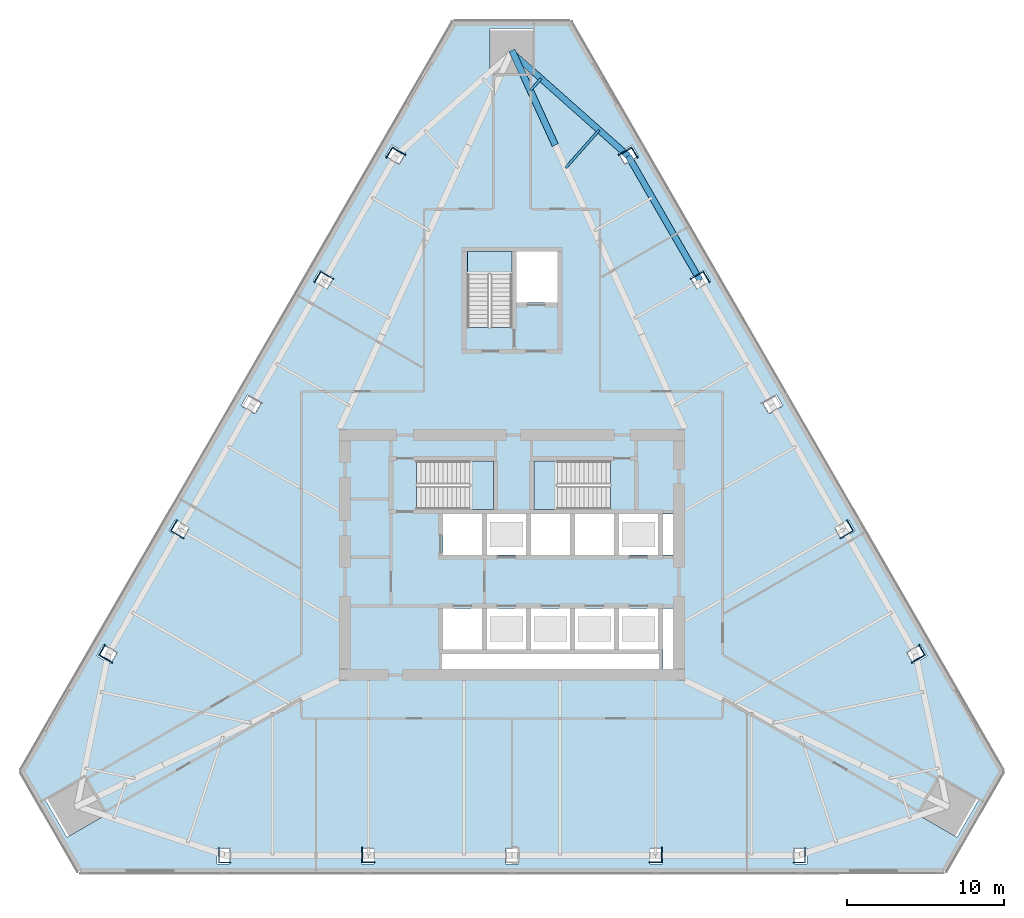
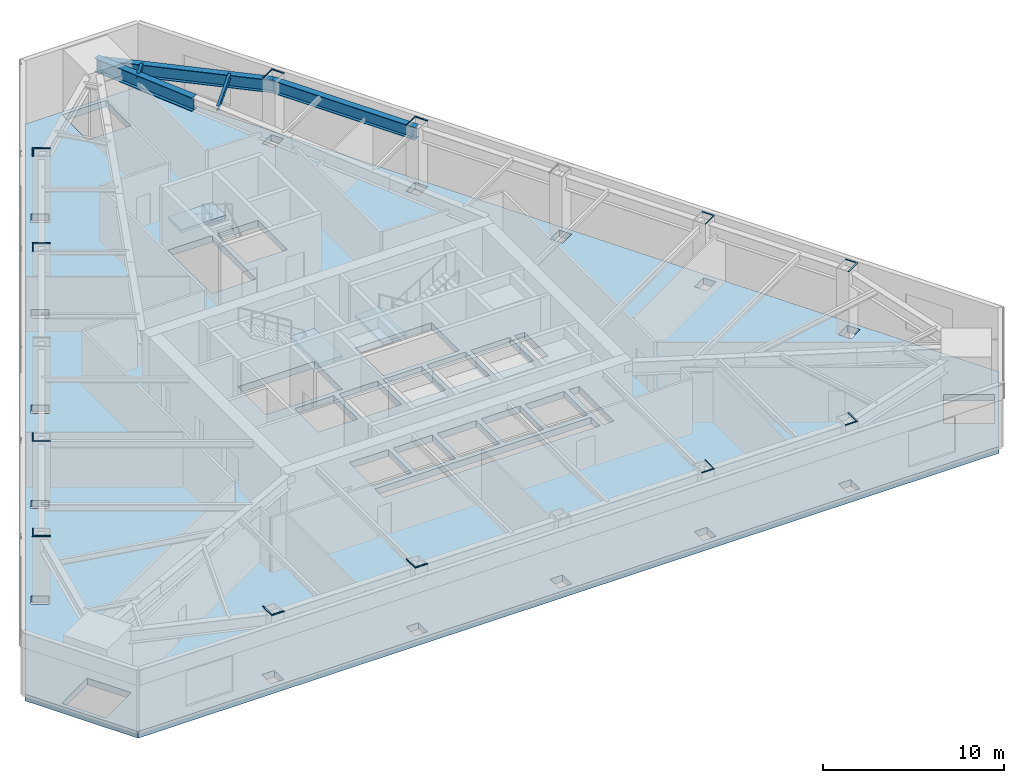
# One storey, part 2 of 14: 12 plates, 4 slabs, 3 members, 2 beams, 3 elements without a shape of their own.
"""IFC4 building model written with IfcOpenShell, lengths in metres."""

from ifc_helpers import new_model, si_unit, direction, frame, origin, origin_2d, place, context, subcontext, project, spatial, polyline, i_section, outline, extrude, material, layer, layer_set, material_profile, profile_set, type_object, element, aggregate, save


model = new_model("IFC4")

# Units and contexts
model_context = context("Model", 3, precision=1e-05, world=origin(), true_north=direction((0.0, 1.0)))
body_context = subcontext(model_context, "Body", "Model", "MODEL_VIEW")
ifc_project = project(units=[si_unit("LENGTHUNIT", "METRE"), si_unit("AREAUNIT", "SQUARE_METRE"), si_unit("VOLUMEUNIT", "CUBIC_METRE"), si_unit("PLANEANGLEUNIT", "RADIAN"), si_unit("MASSUNIT", "GRAM", prefix="KILO")], contexts=[model_context])

# Site, building, storey
site_placement = place(None, origin())
site = spatial("IfcSite", under=ifc_project, at=site_placement, CompositionType="ELEMENT")
building_placement = place(site_placement, origin())
building = spatial("IfcBuilding", under=site, at=building_placement, Name="Firuza Gate Tower and Library", CompositionType="ELEMENT")
storey_placement = place(building_placement, frame((0.0, 0.0, 151.300048828125)))
storey = spatial("IfcBuildingStorey", under=building, at=storey_placement, Name="L34", CompositionType="ELEMENT", Elevation=151.300048828125)

# Beams
ifc_material_1 = material(Name="Steel S355", Category="steel")
ifc_material_profile_1 = material_profile(ifc_material_1, i_section(OverallWidth=0.1650390625, OverallDepth=0.31005859375, WebThickness=0.005859375, FlangeThickness=0.009765625, at=origin_2d()))
ifc_profile_set_1 = profile_set([ifc_material_profile_1], Name="Steel S355")
beam_type = type_object("IfcBeamType", Name="W310x39 Floor beam", PredefinedType="JOIST", material=ifc_profile_set_1)
beam_1_placement = place(storey_placement, frame((80.54345703125, 102.02099609375, 4.14501953125), z_axis=(-0.664170319262, -0.74758129124, 0.0), x_axis=(0.74758129124, -0.664170319262, 0.0)))
element("IfcBeam", 1, at=beam_1_placement, inside=storey, type_object=beam_type, Name="Floor beam L34 s60", PredefinedType="JOIST", context=body_context, shape_type="SweptSolid", body=[
    extrude(i_section(OverallWidth=0.1650390625, OverallDepth=0.31005859375, WebThickness=0.005859375, FlangeThickness=0.009765625, at=origin_2d()), origin(), (0.0, 0.0, 1.0), 3.2109375),
])
beam_2_placement = place(storey_placement, frame((76.847900390625, 105.304443359375, 4.14501953125), z_axis=(-0.664142420678, -0.747606076123, 0.0), x_axis=(0.747606076123, -0.664142420678, 0.0)))
element("IfcBeam", 2, at=beam_2_placement, inside=storey, type_object=beam_type, Name="Floor beam L34 s61", PredefinedType="JOIST", context=body_context, shape_type="SweptSolid", body=[
    extrude(i_section(OverallWidth=0.1650390625, OverallDepth=0.31005859375, WebThickness=0.005859375, FlangeThickness=0.009765625, at=origin_2d()), origin(), (0.0, 0.0, 1.0), 1.026611328125),
])

# Members
ifc_material_2 = material(Name="Steel S355", Category="steel")
ifc_material_profile_2 = material_profile(ifc_material_2, i_section(OverallWidth=0.39990234375, OverallDepth=0.85498046875, WebThickness=0.018310546875, FlangeThickness=0.029296875, at=origin_2d()))
ifc_profile_set_2 = profile_set([ifc_material_profile_2], Name="Steel S355")
member_type_1 = type_object("IfcMemberType", Name="W840x299 Belt truss chord", PredefinedType="CHORD", material=ifc_profile_set_2)
member_1_placement = place(storey_placement, frame((86.962158203125, 92.46240234375, 3.87255859375), z_axis=(-0.500005264327, 0.866022364402, 0.0), x_axis=(-0.866022364402, -0.500005264327, 0.0)))
element("IfcMember", 3, at=member_1_placement, inside=storey, type_object=member_type_1, Name="Belt truss top chord L33 12", PredefinedType="CHORD", context=body_context, shape_type="SweptSolid", body=[
    extrude(i_section(OverallWidth=0.39990234375, OverallDepth=0.85498046875, WebThickness=0.018310546875, FlangeThickness=0.029296875, at=origin_2d()), origin(), (0.0, 0.0, 1.0), 9.1416015625),
])
member_2_placement = place(storey_placement, frame((82.391357421875, 100.379150390625, 3.87255859375), z_axis=(-0.747570054486, 0.664182966988, 0.0), x_axis=(-0.664182966988, -0.747570054486, 0.0)))
element("IfcMember", 4, at=member_2_placement, inside=storey, type_object=member_type_1, Name="Belt truss top chord L33 13", PredefinedType="CHORD", context=body_context, shape_type="SweptSolid", body=[
    extrude(i_section(OverallWidth=0.39990234375, OverallDepth=0.85498046875, WebThickness=0.018310546875, FlangeThickness=0.029296875, at=origin_2d()), origin(), (0.0, 0.0, 1.0), 9.88720703125),
])
ifc_material_3 = material(Name="Steel S355", Category="steel")
ifc_material_profile_3 = material_profile(ifc_material_3, i_section(OverallWidth=0.41796875, OverallDepth=0.912109375, WebThickness=0.019287109375, FlangeThickness=0.031982421875, at=origin_2d()))
ifc_profile_set_3 = profile_set([ifc_material_profile_3], Name="Steel S355")
member_type_2 = type_object("IfcMemberType", Name="W920x342 Outrigger chord", PredefinedType="CHORD", material=ifc_profile_set_3)
member_3_placement = place(storey_placement, frame((77.75, 101.06787109375, 3.843994140625), z_axis=(-0.41535536852, 0.909659231713, 0.0), x_axis=(-0.909659231713, -0.41535536852, 0.0)))
element("IfcMember", 5, at=member_3_placement, inside=storey, type_object=member_type_2, Name="Outrigger NE L33 top chord 4", PredefinedType="CHORD", context=body_context, shape_type="SweptSolid", body=[
    extrude(i_section(OverallWidth=0.41796875, OverallDepth=0.912109375, WebThickness=0.019287109375, FlangeThickness=0.031982421875, at=origin_2d()), origin(), (0.0, 0.0, 1.0), 6.620849609375),
])

# Plates
ifc_material_4 = material(Name="Steel S355", Category="steel")
ifc_layer_1 = layer(ifc_material_4, 0.030029296875)
ifc_layer_set_1 = layer_set([ifc_layer_1], Name="Column infill plate 30 Steel S355")
plate_type = type_object("IfcPlateType", Name="Column infill plate 30 Steel S355", PredefinedType="SHEET", material=ifc_layer_set_1)
placement_1 = place(storey_placement, frame((0.0, 0.0, 4.5)))
element("IfcPlate", 6, at=placement_1, inside=storey, type_object=plate_type, Name="Infill plate L34:S1", PredefinedType="SHEET", context=body_context, shape_type="SweptSolid", body=[
    extrude(outline(polyline([(57.11669921875, 55.4091796875), (57.11669921875, 55.4814453125), (56.39990234375, 55.4814453125), (56.39990234375, 56.4091796875), (56.316650390625, 56.4091796875), (56.316650390625, 55.4091796875), (57.11669921875, 55.4091796875)])), origin(), (0.0, 0.0, 1.0), 0.030029296875),
])
element("IfcPlate", 7, at=placement_1, inside=storey, type_object=plate_type, Name="Infill plate L34:S2", PredefinedType="SHEET", context=body_context, shape_type="SweptSolid", body=[
    extrude(outline(polyline([(66.25830078125, 55.4091796875), (66.25830078125, 55.4814453125), (65.5, 55.4814453125), (65.5, 56.4091796875), (65.458251953125, 56.4091796875), (65.458251953125, 55.4091796875), (66.25830078125, 55.4091796875)])), origin(), (0.0, 0.0, 1.0), 0.030029296875),
])
element("IfcPlate", 8, at=placement_1, inside=storey, type_object=plate_type, Name="Infill plate L34:S4", PredefinedType="SHEET", context=body_context, shape_type="SweptSolid", body=[
    extrude(outline(polyline([(84.541748046875, 56.4091796875), (84.5, 56.4091796875), (84.5, 55.4814453125), (83.74169921875, 55.4814453125), (83.74169921875, 55.4091796875), (84.541748046875, 55.4091796875), (84.541748046875, 56.4091796875)])), origin(), (0.0, 0.0, 1.0), 0.030029296875),
])
element("IfcPlate", 9, at=placement_1, inside=storey, type_object=plate_type, Name="Infill plate L34:S5", PredefinedType="SHEET", context=body_context, shape_type="SweptSolid", body=[
    extrude(outline(polyline([(93.683349609375, 56.4091796875), (93.60009765625, 56.4091796875), (93.60009765625, 55.4814453125), (92.88330078125, 55.4814453125), (92.88330078125, 55.4091796875), (93.683349609375, 55.4091796875), (93.683349609375, 56.4091796875)])), origin(), (0.0, 0.0, 1.0), 0.030029296875),
])
element("IfcPlate", 10, at=placement_1, inside=storey, type_object=plate_type, Name="Infill plate L34:E1", PredefinedType="SHEET", context=body_context, shape_type="SweptSolid", body=[
    extrude(outline(polyline([(100.90771484375, 69.307861328125), (100.84521484375, 69.27197265625), (101.20361328125, 68.651123046875), (100.400146484375, 68.187255859375), (100.441650390625, 68.115234375), (101.307861328125, 68.615234375), (100.90771484375, 69.307861328125)])), origin(), (0.0, 0.0, 1.0), 0.030029296875),
])
element("IfcPlate", 11, at=placement_1, inside=storey, type_object=plate_type, Name="Infill plate L34:E2", PredefinedType="SHEET", context=body_context, shape_type="SweptSolid", body=[
    extrude(outline(polyline([(96.3369140625, 77.224853515625), (96.2744140625, 77.188720703125), (96.653564453125, 76.531982421875), (95.85009765625, 76.068115234375), (95.870849609375, 76.031982421875), (96.73681640625, 76.531982421875), (96.3369140625, 77.224853515625)])), origin(), (0.0, 0.0, 1.0), 0.030029296875),
])
element("IfcPlate", 12, at=placement_1, inside=storey, type_object=plate_type, Name="Infill plate L34:E4", PredefinedType="SHEET", context=body_context, shape_type="SweptSolid", body=[
    extrude(outline(polyline([(86.329345703125, 92.55859375), (86.35009765625, 92.522705078125), (87.153564453125, 92.986572265625), (87.53271484375, 92.329833984375), (87.59521484375, 92.365966796875), (87.1953125, 93.05859375), (86.329345703125, 92.55859375)])), origin(), (0.0, 0.0, 1.0), 0.030029296875),
])
element("IfcPlate", 13, at=placement_1, inside=storey, type_object=plate_type, Name="Infill plate L34:E5", PredefinedType="SHEET", context=body_context, shape_type="SweptSolid", body=[
    extrude(outline(polyline([(81.75830078125, 100.4755859375), (81.800048828125, 100.403564453125), (82.603515625, 100.867431640625), (82.9619140625, 100.246826171875), (83.0244140625, 100.28271484375), (82.62451171875, 100.9755859375), (81.75830078125, 100.4755859375)])), origin(), (0.0, 0.0, 1.0), 0.030029296875),
])
element("IfcPlate", 14, at=placement_1, inside=storey, type_object=plate_type, Name="Infill plate L34:W1", PredefinedType="SHEET", context=body_context, shape_type="SweptSolid", body=[
    extrude(outline(polyline([(66.9755859375, 100.28271484375), (67.0380859375, 100.246826171875), (67.396484375, 100.867431640625), (68.199951171875, 100.403564453125), (68.24169921875, 100.4755859375), (67.37548828125, 100.9755859375), (66.9755859375, 100.28271484375)])), origin(), (0.0, 0.0, 1.0), 0.030029296875),
])
element("IfcPlate", 15, at=placement_1, inside=storey, type_object=plate_type, Name="Infill plate L34:W2", PredefinedType="SHEET", context=body_context, shape_type="SweptSolid", body=[
    extrude(outline(polyline([(62.40478515625, 92.365966796875), (62.46728515625, 92.329833984375), (62.846435546875, 92.986572265625), (63.64990234375, 92.522705078125), (63.670654296875, 92.55859375), (62.8046875, 93.05859375), (62.40478515625, 92.365966796875)])), origin(), (0.0, 0.0, 1.0), 0.030029296875),
])
element("IfcPlate", 16, at=placement_1, inside=storey, type_object=plate_type, Name="Infill plate L34:W4", PredefinedType="SHEET", context=body_context, shape_type="SweptSolid", body=[
    extrude(outline(polyline([(54.129150390625, 76.031982421875), (54.14990234375, 76.068115234375), (53.346435546875, 76.531982421875), (53.7255859375, 77.188720703125), (53.6630859375, 77.224853515625), (53.26318359375, 76.531982421875), (54.129150390625, 76.031982421875)])), origin(), (0.0, 0.0, 1.0), 0.030029296875),
])
element("IfcPlate", 17, at=placement_1, inside=storey, type_object=plate_type, Name="Infill plate L34:W5", PredefinedType="SHEET", context=body_context, shape_type="SweptSolid", body=[
    extrude(outline(polyline([(49.558349609375, 68.115234375), (49.599853515625, 68.187255859375), (48.79638671875, 68.651123046875), (49.15478515625, 69.27197265625), (49.09228515625, 69.307861328125), (48.692138671875, 68.615234375), (49.558349609375, 68.115234375)])), origin(), (0.0, 0.0, 1.0), 0.030029296875),
])

# Slab
ifc_material_5 = material(Name="Concrete C40/50", Category="concrete")
ifc_layer_2 = layer(ifc_material_5, 0.449951171875)
ifc_layer_set_2 = layer_set([ifc_layer_2], Name="Composite floor slab 450 C40/50")
slab_type_1 = type_object("IfcSlabType", Name="Composite floor slab 450 C40/50", PredefinedType="FLOOR", material=ifc_layer_set_2)
slab_1_placement = place(storey_placement, frame((0.0, 0.0, -0.449951171875)))
element("IfcSlab", 18, at=slab_1_placement, inside=storey, type_object=slab_type_1, Name="Floor slab L34", PredefinedType="FLOOR", context=body_context, shape_type="SweptSolid", body=[
    extrude(outline(polyline([(43.97509765625, 61.24462890625), (47.574951171875, 55.00927734375), (102.425048828125, 55.00927734375), (106.02490234375, 61.24462890625), (78.60009765625, 108.74609375), (71.39990234375, 108.74609375), (43.97509765625, 61.24462890625)]), holes=[polyline([(56.2333984375, 55.337158203125), (56.2333984375, 56.337158203125), (57.033447265625, 56.337158203125), (57.033447265625, 55.337158203125), (56.2333984375, 55.337158203125)]), polyline([(74.60009765625, 55.337158203125), (74.60009765625, 56.337158203125), (75.39990234375, 56.337158203125), (75.39990234375, 55.337158203125), (74.60009765625, 55.337158203125)]), polyline([(65.416748046875, 55.337158203125), (65.416748046875, 56.337158203125), (66.216552734375, 56.337158203125), (66.216552734375, 55.337158203125), (65.416748046875, 55.337158203125)]), polyline([(45.29638671875, 59.46728515625), (47.72119140625, 60.8671875), (49.121337890625, 58.4423828125), (46.6962890625, 57.042236328125), (45.29638671875, 59.46728515625)]), polyline([(84.35009765625, 67.75), (70.550048828125, 67.75), (70.550048828125, 68.699951171875), (84.35009765625, 68.699951171875), (84.35009765625, 67.75)]), polyline([(48.988037109375, 69.27197265625), (49.85400390625, 68.77197265625), (49.4541015625, 68.0791015625), (48.588134765625, 68.5791015625), (48.988037109375, 69.27197265625)]), polyline([(73.10009765625, 69.0), (70.60009765625, 69.0), (70.60009765625, 71.60009765625), (73.10009765625, 71.60009765625), (73.10009765625, 69.0)]), polyline([(75.89990234375, 69.0), (73.39990234375, 69.0), (73.39990234375, 71.60009765625), (75.89990234375, 71.60009765625), (75.89990234375, 69.0)]), polyline([(73.10009765625, 75.0), (70.60009765625, 75.0), (70.60009765625, 77.60009765625), (73.10009765625, 77.60009765625), (73.10009765625, 75.0)]), polyline([(75.89990234375, 75.0), (73.39990234375, 75.0), (73.39990234375, 77.60009765625), (75.89990234375, 77.60009765625), (75.89990234375, 75.0)]), polyline([(53.579833984375, 77.224853515625), (54.44580078125, 76.724853515625), (54.045654296875, 76.031982421875), (53.1796875, 76.531982421875), (53.579833984375, 77.224853515625)]), polyline([(73.81005859375, 77.89990234375), (68.9404296875, 77.89990234375), (68.9404296875, 80.97998046875), (73.81005859375, 80.97998046875), (73.81005859375, 77.89990234375)]), polyline([(58.17138671875, 85.177978515625), (59.037353515625, 84.677978515625), (58.637451171875, 83.985107421875), (57.771484375, 84.485107421875), (58.17138671875, 85.177978515625)]), polyline([(72.159912109375, 89.470458984375), (72.159912109375, 94.300048828125), (75.0, 94.300048828125), (75.0, 89.470458984375), (72.159912109375, 89.470458984375)]), polyline([(62.76318359375, 93.130859375), (63.629150390625, 92.630859375), (63.22900390625, 91.93798828125), (62.363037109375, 92.43798828125), (62.76318359375, 93.130859375)]), polyline([(75.300048828125, 91.050048828125), (75.300048828125, 94.300048828125), (77.89990234375, 94.300048828125), (77.89990234375, 91.050048828125), (75.300048828125, 91.050048828125)]), polyline([(68.220703125, 100.583984375), (67.82080078125, 99.89111328125), (66.954833984375, 100.39111328125), (67.354736328125, 101.083984375), (68.220703125, 100.583984375)]), polyline([(76.39990234375, 108.490478515625), (76.39990234375, 105.6904296875), (73.60009765625, 105.6904296875), (73.60009765625, 108.490478515625), (76.39990234375, 108.490478515625)]), polyline([(92.966552734375, 55.337158203125), (92.966552734375, 56.337158203125), (93.7666015625, 56.337158203125), (93.7666015625, 55.337158203125), (92.966552734375, 55.337158203125)]), polyline([(83.783447265625, 55.337158203125), (83.783447265625, 56.337158203125), (84.583251953125, 56.337158203125), (84.583251953125, 55.337158203125), (83.783447265625, 55.337158203125)]), polyline([(103.3037109375, 57.042236328125), (100.878662109375, 58.4423828125), (102.27880859375, 60.8671875), (104.70361328125, 59.46728515625), (103.3037109375, 57.042236328125)]), polyline([(101.411865234375, 68.5791015625), (100.5458984375, 68.0791015625), (100.14599609375, 68.77197265625), (101.011962890625, 69.27197265625), (101.411865234375, 68.5791015625)]), polyline([(85.25, 67.75), (84.60009765625, 67.75), (84.60009765625, 71.60009765625), (85.25, 71.60009765625), (85.25, 67.75)]), polyline([(81.5, 69.0), (79.0, 69.0), (79.0, 71.60009765625), (81.5, 71.60009765625), (81.5, 69.0)]), polyline([(81.800048828125, 69.0), (81.800048828125, 71.60009765625), (84.300048828125, 71.60009765625), (84.300048828125, 69.0), (81.800048828125, 69.0)]), polyline([(76.199951171875, 69.0), (76.199951171875, 71.60009765625), (78.699951171875, 71.60009765625), (78.699951171875, 69.0), (76.199951171875, 69.0)]), polyline([(81.5, 75.0), (79.0, 75.0), (79.0, 77.60009765625), (81.5, 77.60009765625), (81.5, 75.0)]), polyline([(84.300048828125, 75.0), (81.800048828125, 75.0), (81.800048828125, 77.60009765625), (84.300048828125, 77.60009765625), (84.300048828125, 75.0)]), polyline([(85.25, 75.0), (84.60009765625, 75.0), (84.60009765625, 77.60009765625), (85.25, 77.60009765625), (85.25, 75.0)]), polyline([(78.699951171875, 75.0), (76.199951171875, 75.0), (76.199951171875, 77.60009765625), (78.699951171875, 77.60009765625), (78.699951171875, 75.0)]), polyline([(96.8203125, 76.531982421875), (95.954345703125, 76.031982421875), (95.55419921875, 76.724853515625), (96.420166015625, 77.224853515625), (96.8203125, 76.531982421875)]), polyline([(81.259521484375, 77.89990234375), (76.389892578125, 77.89990234375), (76.389892578125, 80.97998046875), (81.259521484375, 80.97998046875), (81.259521484375, 77.89990234375)]), polyline([(92.228515625, 84.485107421875), (91.362548828125, 83.985107421875), (90.962646484375, 84.677978515625), (91.82861328125, 85.177978515625), (92.228515625, 84.485107421875)]), polyline([(86.77099609375, 91.93798828125), (86.370849609375, 92.630859375), (87.23681640625, 93.130859375), (87.636962890625, 92.43798828125), (86.77099609375, 91.93798828125)]), polyline([(82.17919921875, 99.89111328125), (81.779296875, 100.583984375), (82.645263671875, 101.083984375), (83.045166015625, 100.39111328125), (82.17919921875, 99.89111328125)])]), origin(), (0.0, 0.0, 1.0), 0.449951171875),
])

# Stair, slab
ifc_material_6 = material(Name="Concrete C35/45", Category="concrete")
stair_type_1 = type_object("IfcStairType", Name="Exit stair ST1", PredefinedType="HALF_TURN_STAIR", material=ifc_material_6)
placement_2 = place(storey_placement, origin())
stair_1 = element("IfcStair", 19, at=placement_2, inside=storey, type_object=stair_type_1, Name="L34 Stair ST1", PredefinedType="HALF_TURN_STAIR")
ifc_material_7 = material(Name="Concrete C35/45", Category="concrete")
ifc_layer_3 = layer(ifc_material_7, 0.199951171875)
ifc_layer_set_3 = layer_set([ifc_layer_3], Name="Stair landing 200")
slab_type_2 = type_object("IfcSlabType", Name="Stair landing 200", PredefinedType="LANDING", material=ifc_layer_set_3)
placement_3 = place(storey_placement, frame((0.0, 0.0, 2.050048828125)))
slab_2 = element("IfcSlab", 20, at=placement_3, type_object=slab_type_2, Name="ST1 landing 1", PredefinedType="LANDING", context=body_context, shape_type="SweptSolid", body=[
    extrude(outline(polyline([(72.300048828125, 77.89990234375), (73.81005859375, 77.89990234375), (73.81005859375, 80.97998046875), (72.300048828125, 80.97998046875), (72.300048828125, 77.89990234375)])), origin(), (0.0, 0.0, 1.0), 0.199951171875),
])
aggregate(stair_1, [slab_2])

stair_2 = element("IfcStair", 21, at=placement_2, inside=storey, type_object=stair_type_1, Name="L34 Stair ST2", PredefinedType="HALF_TURN_STAIR")
slab_3 = element("IfcSlab", 22, at=placement_3, type_object=slab_type_2, Name="ST2 landing 1", PredefinedType="LANDING", context=body_context, shape_type="SweptSolid", body=[
    extrude(outline(polyline([(77.89990234375, 80.97998046875), (76.389892578125, 80.97998046875), (76.389892578125, 77.89990234375), (77.89990234375, 77.89990234375), (77.89990234375, 80.97998046875)])), origin(), (0.0, 0.0, 1.0), 0.199951171875),
])
aggregate(stair_2, [slab_3])

ifc_material_8 = material(Name="Concrete C35/45", Category="concrete")
stair_type_2 = type_object("IfcStairType", Name="Exit stair ST10", PredefinedType="HALF_TURN_STAIR", material=ifc_material_8)
stair_3 = element("IfcStair", 23, at=placement_2, inside=storey, type_object=stair_type_2, Name="L34 Stair ST3", PredefinedType="HALF_TURN_STAIR")
slab_4 = element("IfcSlab", 24, at=placement_3, type_object=slab_type_2, Name="ST3 landing 1", PredefinedType="LANDING", context=body_context, shape_type="SweptSolid", body=[
    extrude(outline(polyline([(75.0, 92.830078125), (75.0, 94.300048828125), (72.159912109375, 94.300048828125), (72.159912109375, 92.830078125), (75.0, 92.830078125)])), origin(), (0.0, 0.0, 1.0), 0.199951171875),
])
aggregate(stair_3, [slab_4])

save(model, "model.ifc")
